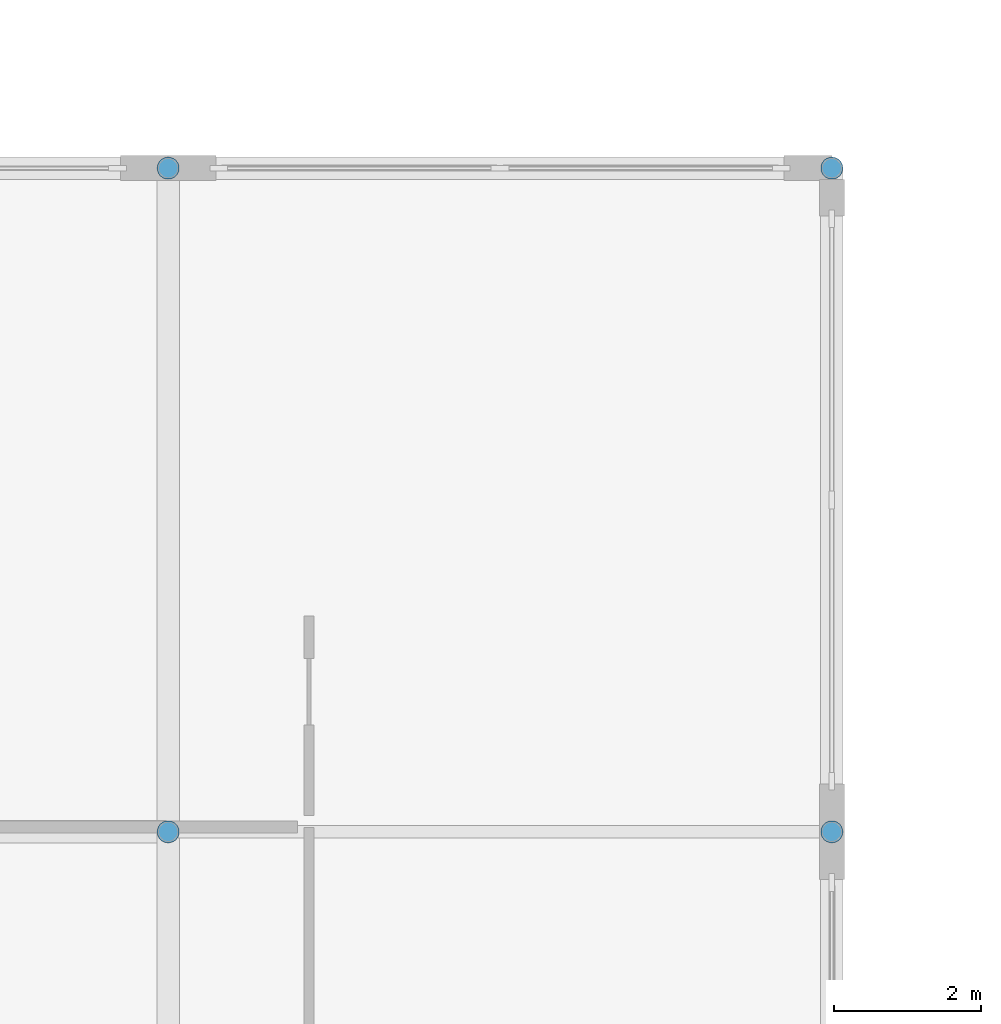
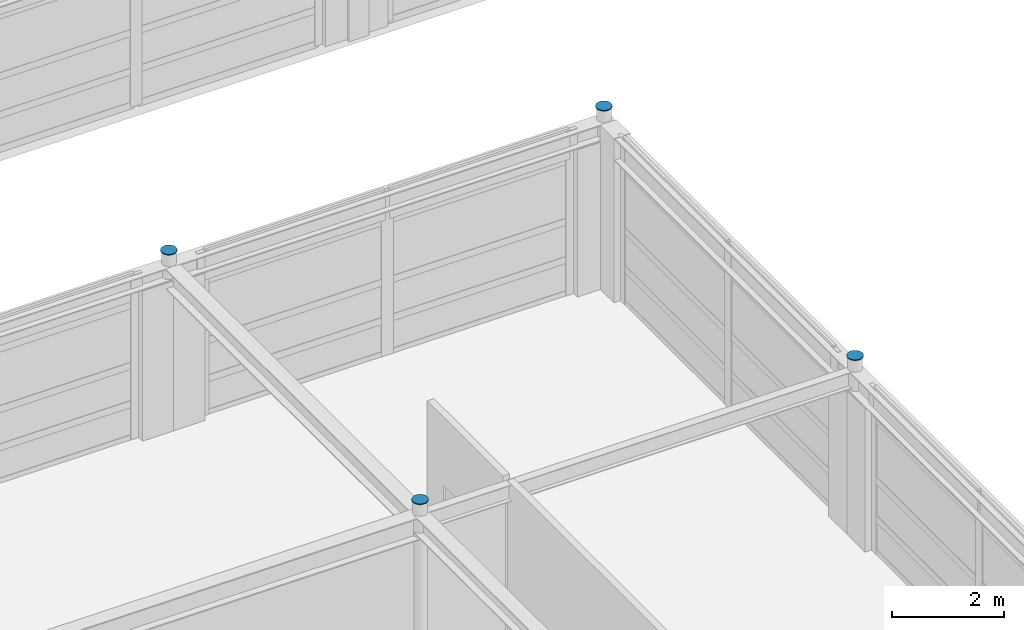
# One storey, part 76 of 79: 4 discrete accessories.
"""IFC4 building model written with IfcOpenShell, lengths in metres."""

from ifc_helpers import new_model, si_unit, direction, frame, origin, place, context, subcontext, project, spatial, polyline, outline, extrude, material, type_object, element, save


model = new_model("IFC4")

# Units and contexts
model_context = context("Model", 3, precision=1e-05, world=origin(), true_north=direction((0.0, 1.0)))
body_context = subcontext(model_context, "Body", "Model", "MODEL_VIEW")
ifc_project = project(units=[si_unit("LENGTHUNIT", "METRE"), si_unit("AREAUNIT", "SQUARE_METRE"), si_unit("VOLUMEUNIT", "CUBIC_METRE"), si_unit("PLANEANGLEUNIT", "RADIAN"), si_unit("MASSUNIT", "GRAM", prefix="KILO")], contexts=[model_context])

# Site, building, storey
site_placement = place(None, origin())
site = spatial("IfcSite", under=ifc_project, at=site_placement, CompositionType="ELEMENT")
building_placement = place(site_placement, origin())
building = spatial("IfcBuilding", under=site, at=building_placement, Name="Palais des Congres Ocreval", CompositionType="ELEMENT")
storey_placement = place(building_placement, frame((0.0, 0.0, 4.320068359375)))
storey = spatial("IfcBuildingStorey", under=building, at=storey_placement, Name="L01", CompositionType="ELEMENT", Elevation=4.320068359375)

# Discrete accessories
ifc_material = material(Name="Steel S355", Category="steel")
discrete_accessory_type = type_object("IfcDiscreteAccessoryType", Name="Column Cap Plate PL20 Steel S355", PredefinedType="USERDEFINED", material=ifc_material)
discrete_accessory_1_placement = place(storey_placement, frame((0.0, 0.0, 3.83984375)))
element("IfcDiscreteAccessory", 1, at=discrete_accessory_1_placement, inside=storey, type_object=discrete_accessory_type, Name="Column Cap Plate PL20 C17", ObjectType="COLUMN CAP PLATE", PredefinedType="USERDEFINED", context=body_context, shape_type="SweptSolid", body=[
    extrude(outline(polyline([(135.14990234375, 54.0), (135.147216796875, 54.029296875), (135.138671875, 54.057373046875), (135.124755859375, 54.083251953125), (135.106201171875, 54.106201171875), (135.083251953125, 54.124755859375), (135.057373046875, 54.138671875), (135.029296875, 54.147216796875), (135.0, 54.14990234375), (134.970703125, 54.147216796875), (134.942626953125, 54.138671875), (134.916748046875, 54.124755859375), (134.893798828125, 54.106201171875), (134.875244140625, 54.083251953125), (134.861328125, 54.057373046875), (134.852783203125, 54.029296875), (134.85009765625, 54.0), (134.852783203125, 53.970703125), (134.861328125, 53.942626953125), (134.875244140625, 53.916748046875), (134.893798828125, 53.893798828125), (134.916748046875, 53.875244140625), (134.942626953125, 53.861328125), (134.970703125, 53.852783203125), (135.0, 53.85009765625), (135.029296875, 53.852783203125), (135.057373046875, 53.861328125), (135.083251953125, 53.875244140625), (135.106201171875, 53.893798828125), (135.124755859375, 53.916748046875), (135.138671875, 53.942626953125), (135.147216796875, 53.970703125), (135.14990234375, 54.0)])), origin(), (0.0, 0.0, 1.0), 0.02001953125),
])
discrete_accessory_2_placement = place(storey_placement, frame((0.0, 0.0, 3.83984375)))
element("IfcDiscreteAccessory", 2, at=discrete_accessory_2_placement, inside=storey, type_object=discrete_accessory_type, Name="Column Cap Plate PL20 C17", ObjectType="COLUMN CAP PLATE", PredefinedType="USERDEFINED", context=body_context, shape_type="SweptSolid", body=[
    extrude(outline(polyline([(135.14990234375, 63.0), (135.147216796875, 63.029296875), (135.138671875, 63.057373046875), (135.124755859375, 63.083251953125), (135.106201171875, 63.106201171875), (135.083251953125, 63.124755859375), (135.057373046875, 63.138671875), (135.029296875, 63.147216796875), (135.0, 63.14990234375), (134.970703125, 63.147216796875), (134.942626953125, 63.138671875), (134.916748046875, 63.124755859375), (134.893798828125, 63.106201171875), (134.875244140625, 63.083251953125), (134.861328125, 63.057373046875), (134.852783203125, 63.029296875), (134.85009765625, 63.0), (134.852783203125, 62.970703125), (134.861328125, 62.942626953125), (134.875244140625, 62.916748046875), (134.893798828125, 62.893798828125), (134.916748046875, 62.875244140625), (134.942626953125, 62.861328125), (134.970703125, 62.852783203125), (135.0, 62.85009765625), (135.029296875, 62.852783203125), (135.057373046875, 62.861328125), (135.083251953125, 62.875244140625), (135.106201171875, 62.893798828125), (135.124755859375, 62.916748046875), (135.138671875, 62.942626953125), (135.147216796875, 62.970703125), (135.14990234375, 63.0)])), origin(), (0.0, 0.0, 1.0), 0.02001953125),
])
discrete_accessory_3_placement = place(storey_placement, frame((0.0, 0.0, 3.83984375)))
element("IfcDiscreteAccessory", 3, at=discrete_accessory_3_placement, inside=storey, type_object=discrete_accessory_type, Name="Column Cap Plate PL20 C17", ObjectType="COLUMN CAP PLATE", PredefinedType="USERDEFINED", context=body_context, shape_type="SweptSolid", body=[
    extrude(outline(polyline([(144.14990234375, 54.0), (144.147216796875, 54.029296875), (144.138671875, 54.057373046875), (144.124755859375, 54.083251953125), (144.106201171875, 54.106201171875), (144.083251953125, 54.124755859375), (144.057373046875, 54.138671875), (144.029296875, 54.147216796875), (144.0, 54.14990234375), (143.970703125, 54.147216796875), (143.942626953125, 54.138671875), (143.916748046875, 54.124755859375), (143.893798828125, 54.106201171875), (143.875244140625, 54.083251953125), (143.861328125, 54.057373046875), (143.852783203125, 54.029296875), (143.85009765625, 54.0), (143.852783203125, 53.970703125), (143.861328125, 53.942626953125), (143.875244140625, 53.916748046875), (143.893798828125, 53.893798828125), (143.916748046875, 53.875244140625), (143.942626953125, 53.861328125), (143.970703125, 53.852783203125), (144.0, 53.85009765625), (144.029296875, 53.852783203125), (144.057373046875, 53.861328125), (144.083251953125, 53.875244140625), (144.106201171875, 53.893798828125), (144.124755859375, 53.916748046875), (144.138671875, 53.942626953125), (144.147216796875, 53.970703125), (144.14990234375, 54.0)])), origin(), (0.0, 0.0, 1.0), 0.02001953125),
])
discrete_accessory_4_placement = place(storey_placement, frame((0.0, 0.0, 3.83984375)))
element("IfcDiscreteAccessory", 4, at=discrete_accessory_4_placement, inside=storey, type_object=discrete_accessory_type, Name="Column Cap Plate PL20 C17", ObjectType="COLUMN CAP PLATE", PredefinedType="USERDEFINED", context=body_context, shape_type="SweptSolid", body=[
    extrude(outline(polyline([(144.14990234375, 63.0), (144.147216796875, 63.029296875), (144.138671875, 63.057373046875), (144.124755859375, 63.083251953125), (144.106201171875, 63.106201171875), (144.083251953125, 63.124755859375), (144.057373046875, 63.138671875), (144.029296875, 63.147216796875), (144.0, 63.14990234375), (143.970703125, 63.147216796875), (143.942626953125, 63.138671875), (143.916748046875, 63.124755859375), (143.893798828125, 63.106201171875), (143.875244140625, 63.083251953125), (143.861328125, 63.057373046875), (143.852783203125, 63.029296875), (143.85009765625, 63.0), (143.852783203125, 62.970703125), (143.861328125, 62.942626953125), (143.875244140625, 62.916748046875), (143.893798828125, 62.893798828125), (143.916748046875, 62.875244140625), (143.942626953125, 62.861328125), (143.970703125, 62.852783203125), (144.0, 62.85009765625), (144.029296875, 62.852783203125), (144.057373046875, 62.861328125), (144.083251953125, 62.875244140625), (144.106201171875, 62.893798828125), (144.124755859375, 62.916748046875), (144.138671875, 62.942626953125), (144.147216796875, 62.970703125), (144.14990234375, 63.0)])), origin(), (0.0, 0.0, 1.0), 0.02001953125),
])

save(model, "model.ifc")
